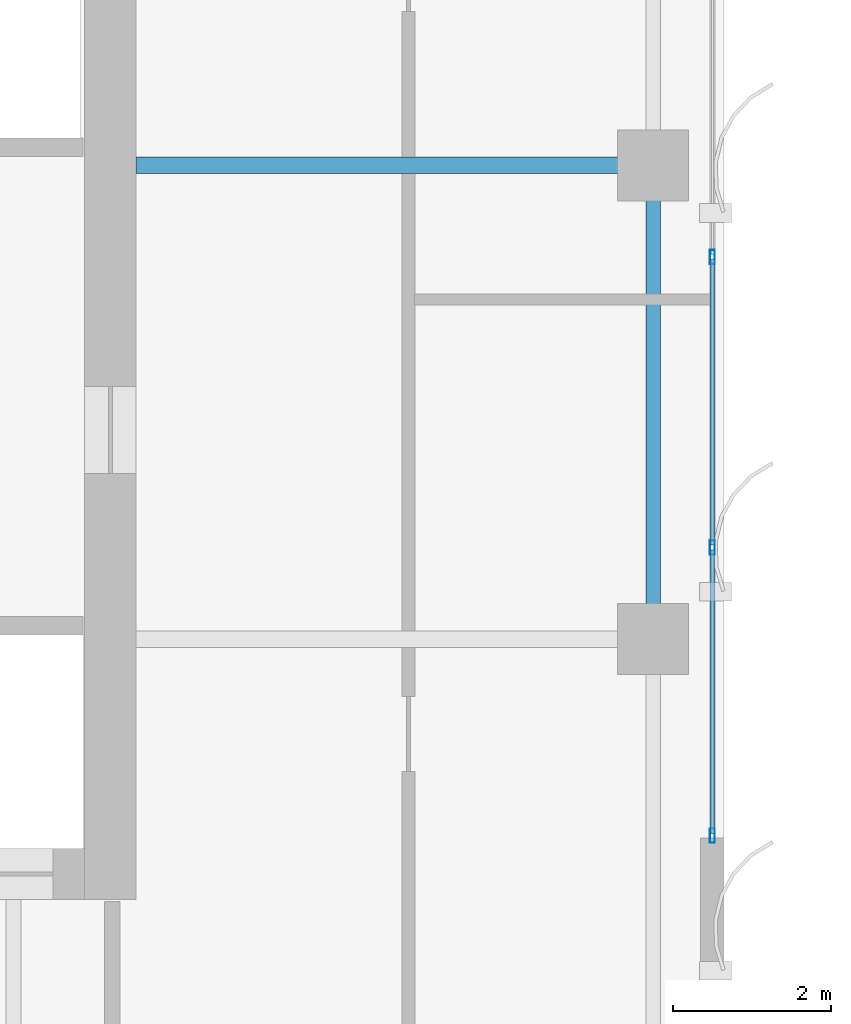
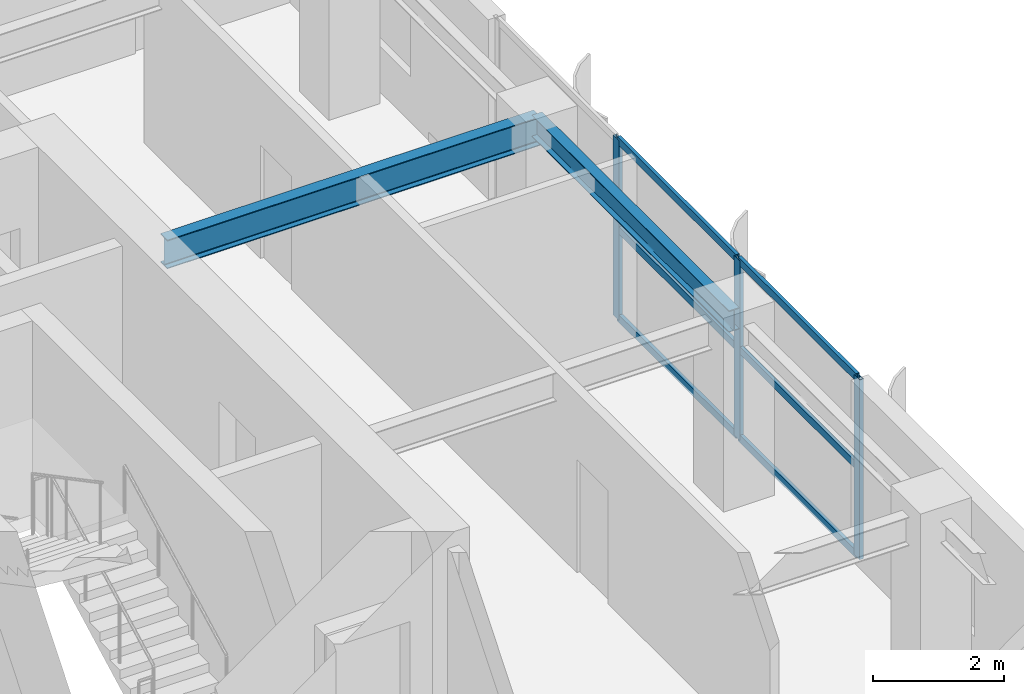
# One storey, part 8 of 22: 9 members, 2 beams, 1 element without a shape of its own.
"""IFC4 building model written with IfcOpenShell, lengths in metres."""

from ifc_helpers import new_model, si_unit, direction, frame, origin, origin_2d, place, context, subcontext, project, spatial, hollow_rectangle, i_section, extrude, source, transform, mapped, material, layer, layer_set, material_profile, profile_set, type_object, element, aggregate, save


model = new_model("IFC4")

# Units and contexts
model_context = context("Model", 3, precision=1e-05, world=origin(), true_north=direction((0.0, 1.0)))
body_context = subcontext(model_context, "Body", "Model", "MODEL_VIEW")
ifc_project = project(units=[si_unit("LENGTHUNIT", "METRE"), si_unit("AREAUNIT", "SQUARE_METRE"), si_unit("VOLUMEUNIT", "CUBIC_METRE"), si_unit("PLANEANGLEUNIT", "RADIAN"), si_unit("MASSUNIT", "GRAM", prefix="KILO")], contexts=[model_context])

# Site, building, storey
site_placement = place(None, origin())
site = spatial("IfcSite", under=ifc_project, at=site_placement, CompositionType="ELEMENT")
building_placement = place(site_placement, origin())
building = spatial("IfcBuilding", under=site, at=building_placement, Name="Khoralis Quay Care Tower", CompositionType="ELEMENT")
storey_placement = place(building_placement, frame((0.0, 0.0, 180.89990234375)))
storey = spatial("IfcBuildingStorey", under=building, at=storey_placement, Name="L47", CompositionType="ELEMENT", Elevation=180.89990234375)

# Beams
ifc_material_1 = material(Name="Steel S355", Category="steel")
ifc_material_profile_1 = material_profile(ifc_material_1, i_section(OverallWidth=0.179931640625, OverallDepth=0.39990234375, WebThickness=0.008544921875, FlangeThickness=0.013427734375, FilletRadius=0.02099609375, at=origin_2d()), Name="Steel S355")
ifc_profile_set_1 = profile_set([ifc_material_profile_1], Name="Steel S355")
beam_type_1 = type_object("IfcBeamType", Name="BM-IPE400", PredefinedType="SPANDREL", material=ifc_profile_set_1)
shared_shape_1 = source(origin(), body_context, "Body", "SweptSolid", [
    extrude(i_section(OverallWidth=0.179931640625, OverallDepth=0.39990234375, WebThickness=0.008544921875, FlangeThickness=0.013427734375, FilletRadius=0.02099609375, at=origin_2d()), origin(), (0.0, 0.0, 1.0), 6.0),
])
beam_1_placement = place(storey_placement, frame((44.10009765625, 18.0, 3.14013671875), z_axis=(0.0, 1.0, 0.0), x_axis=(-1.0, 0.0, 0.0)))
element("IfcBeam", 1, at=beam_1_placement, inside=storey, type_object=beam_type_1, Name="BM-TSP-L47-16", PredefinedType="SPANDREL", context=body_context, shape_type="MappedRepresentation", body=[
    mapped(shared_shape_1, transform((0.0, 0.0, 0.0), scale=1.0)),
])
ifc_material_profile_2 = material_profile(ifc_material_1, i_section(OverallWidth=0.208984375, OverallDepth=0.532958984375, WebThickness=0.01025390625, FlangeThickness=0.015625, FilletRadius=0.01611328125, at=origin_2d()), Name="Steel S355")
ifc_profile_set_2 = profile_set([ifc_material_profile_2], Name="Steel S355")
beam_type_2 = type_object("IfcBeamType", Name="BM-W530X92", PredefinedType="BEAM", material=ifc_profile_set_2)
shared_shape_2 = source(origin(), body_context, "Body", "SweptSolid", [
    extrude(i_section(OverallWidth=0.208984375, OverallDepth=0.532958984375, WebThickness=0.01025390625, FlangeThickness=0.015625, FilletRadius=0.01611328125, at=origin_2d()), origin(), (0.0, 0.0, 1.0), 6.552001953125),
])
beam_2_placement = place(storey_placement, frame((37.548095703125, 24.0, 3.073486328125), z_axis=(1.0, 0.0, 0.0), x_axis=(0.0, 1.0, 0.0)))
element("IfcBeam", 2, at=beam_2_placement, inside=storey, type_object=beam_type_2, Name="BM-TGXE-L47-240", PredefinedType="BEAM", context=body_context, shape_type="MappedRepresentation", body=[
    mapped(shared_shape_2, transform((0.0, 0.0, 0.0), scale=1.0)),
])

# Curtain wall, members
ifc_material_2 = material(Name="Pale anodised aluminium", Category="aluminium")
ifc_layer = layer(ifc_material_2, 0.159912109375)
ifc_layer_set = layer_set([ifc_layer], Name="Pale anodised aluminium")
curtain_wall_type = type_object("IfcCurtainWallType", Name="CW-SYS-Z3", PredefinedType="NOTDEFINED", material=ifc_layer_set)
curtain_wall_placement = place(storey_placement, origin())
curtain_wall = element("IfcCurtainWall", 3, at=curtain_wall_placement, inside=storey, type_object=curtain_wall_type, Name="L47 Unitised Curtain Wall CW-L47-P1-E5", PredefinedType="NOTDEFINED")
ifc_material_profile_3 = material_profile(ifc_material_2, hollow_rectangle(XDim=0.06494140625, YDim=0.179931640625, WallThickness=0.00390625, at=origin_2d()), Name="Pale anodised aluminium")
ifc_profile_set_3 = profile_set([ifc_material_profile_3], Name="Pale anodised aluminium")
member_type_1 = type_object("IfcMemberType", Name="CW-MUL-180", PredefinedType="MULLION", material=ifc_profile_set_3)
shared_shape_3 = source(origin(), body_context, "Body", "SweptSolid", [
    extrude(hollow_rectangle(XDim=0.06494140625, YDim=0.179931640625, WallThickness=0.00390625, at=origin_2d()), origin(), (0.0, 0.0, 1.0), 3.340087890625),
])
member_1_placement = place(storey_placement, frame((44.85009765625, 15.510009765625, 0.0), z_axis=(0.0, 0.0, 1.0), x_axis=(-1.0, 0.0, 0.0)))
member_1 = element("IfcMember", 4, at=member_1_placement, type_object=member_type_1, Name="CW3 mullion 1", PredefinedType="MULLION", context=body_context, shape_type="MappedRepresentation", body=[
    mapped(shared_shape_3, transform((0.0, 0.0, 0.0), scale=1.0)),
])
member_2_placement = place(storey_placement, frame((44.85009765625, 19.159912109375, 0.0), z_axis=(0.0, 0.0, 1.0), x_axis=(-1.0, 0.0, 0.0)))
member_2 = element("IfcMember", 5, at=member_2_placement, type_object=member_type_1, Name="CW3 mullion 2", PredefinedType="MULLION", context=body_context, shape_type="MappedRepresentation", body=[
    mapped(shared_shape_3, transform((0.0, 0.0, 0.0), scale=1.0)),
])
member_3_placement = place(storey_placement, frame((44.85009765625, 22.840087890625, 0.0), z_axis=(0.0, 0.0, 1.0), x_axis=(-1.0, 0.0, 0.0)))
member_3 = element("IfcMember", 6, at=member_3_placement, type_object=member_type_1, Name="CW3 mullion 3", PredefinedType="MULLION", context=body_context, shape_type="MappedRepresentation", body=[
    mapped(shared_shape_3, transform((0.0, 0.0, 0.0), scale=1.0)),
])
ifc_material_profile_4 = material_profile(ifc_material_2, hollow_rectangle(XDim=0.06005859375, YDim=0.139892578125, WallThickness=0.00390625, at=origin_2d()), Name="Pale anodised aluminium")
ifc_profile_set_4 = profile_set([ifc_material_profile_4], Name="Pale anodised aluminium")
member_type_2 = type_object("IfcMemberType", Name="CW-TRN-140", PredefinedType="USERDEFINED", material=ifc_profile_set_4)
shared_shape_4 = source(origin(), body_context, "Body", "SweptSolid", [
    extrude(hollow_rectangle(XDim=0.06005859375, YDim=0.139892578125, WallThickness=0.00390625, at=origin_2d()), origin(), (0.0, 0.0, 1.0), 3.58984375),
])
member_4_placement = place(storey_placement, frame((44.85009765625, 15.5400390625, 0.030029296875), z_axis=(0.0, 1.0, 0.0), x_axis=(-1.0, 0.0, 0.0)))
member_4 = element("IfcMember", 7, at=member_4_placement, type_object=member_type_2, Name="CW3 transom 1.1", ObjectType="TRANSOM", PredefinedType="USERDEFINED", context=body_context, shape_type="MappedRepresentation", body=[
    mapped(shared_shape_4, transform((0.0, 0.0, 0.0), scale=1.0)),
])
member_5_placement = place(storey_placement, frame((44.85009765625, 15.5400390625, 1.670166015625), z_axis=(0.0, 1.0, 0.0), x_axis=(-1.0, 0.0, 0.0)))
member_5 = element("IfcMember", 8, at=member_5_placement, type_object=member_type_2, Name="CW3 transom 1.2", ObjectType="TRANSOM", PredefinedType="USERDEFINED", context=body_context, shape_type="MappedRepresentation", body=[
    mapped(shared_shape_4, transform((0.0, 0.0, 0.0), scale=1.0)),
])
member_6_placement = place(storey_placement, frame((44.85009765625, 15.5400390625, 3.31005859375), z_axis=(0.0, 1.0, 0.0), x_axis=(-1.0, 0.0, 0.0)))
member_6 = element("IfcMember", 9, at=member_6_placement, type_object=member_type_2, Name="CW3 transom 1.3", ObjectType="TRANSOM", PredefinedType="USERDEFINED", context=body_context, shape_type="MappedRepresentation", body=[
    mapped(shared_shape_4, transform((0.0, 0.0, 0.0), scale=1.0)),
])
shared_shape_5 = source(origin(), body_context, "Body", "SweptSolid", [
    extrude(hollow_rectangle(XDim=0.06005859375, YDim=0.139892578125, WallThickness=0.00390625, at=origin_2d()), origin(), (0.0, 0.0, 1.0), 3.6201171875),
])
member_7_placement = place(storey_placement, frame((44.85009765625, 19.18994140625, 0.030029296875), z_axis=(0.0, 1.0, 0.0), x_axis=(-1.0, 0.0, 0.0)))
member_7 = element("IfcMember", 10, at=member_7_placement, type_object=member_type_2, Name="CW3 transom 2.1", ObjectType="TRANSOM", PredefinedType="USERDEFINED", context=body_context, shape_type="MappedRepresentation", body=[
    mapped(shared_shape_5, transform((0.0, 0.0, 0.0), scale=1.0)),
])
member_8_placement = place(storey_placement, frame((44.85009765625, 19.18994140625, 1.670166015625), z_axis=(0.0, 1.0, 0.0), x_axis=(-1.0, 0.0, 0.0)))
member_8 = element("IfcMember", 11, at=member_8_placement, type_object=member_type_2, Name="CW3 transom 2.2", ObjectType="TRANSOM", PredefinedType="USERDEFINED", context=body_context, shape_type="MappedRepresentation", body=[
    mapped(shared_shape_5, transform((0.0, 0.0, 0.0), scale=1.0)),
])
member_9_placement = place(storey_placement, frame((44.85009765625, 19.18994140625, 3.31005859375), z_axis=(0.0, 1.0, 0.0), x_axis=(-1.0, 0.0, 0.0)))
member_9 = element("IfcMember", 12, at=member_9_placement, type_object=member_type_2, Name="CW3 transom 2.3", ObjectType="TRANSOM", PredefinedType="USERDEFINED", context=body_context, shape_type="MappedRepresentation", body=[
    mapped(shared_shape_5, transform((0.0, 0.0, 0.0), scale=1.0)),
])
aggregate(curtain_wall, [member_1, member_2, member_3, member_4, member_5, member_6, member_7, member_8, member_9])

save(model, "model.ifc")
